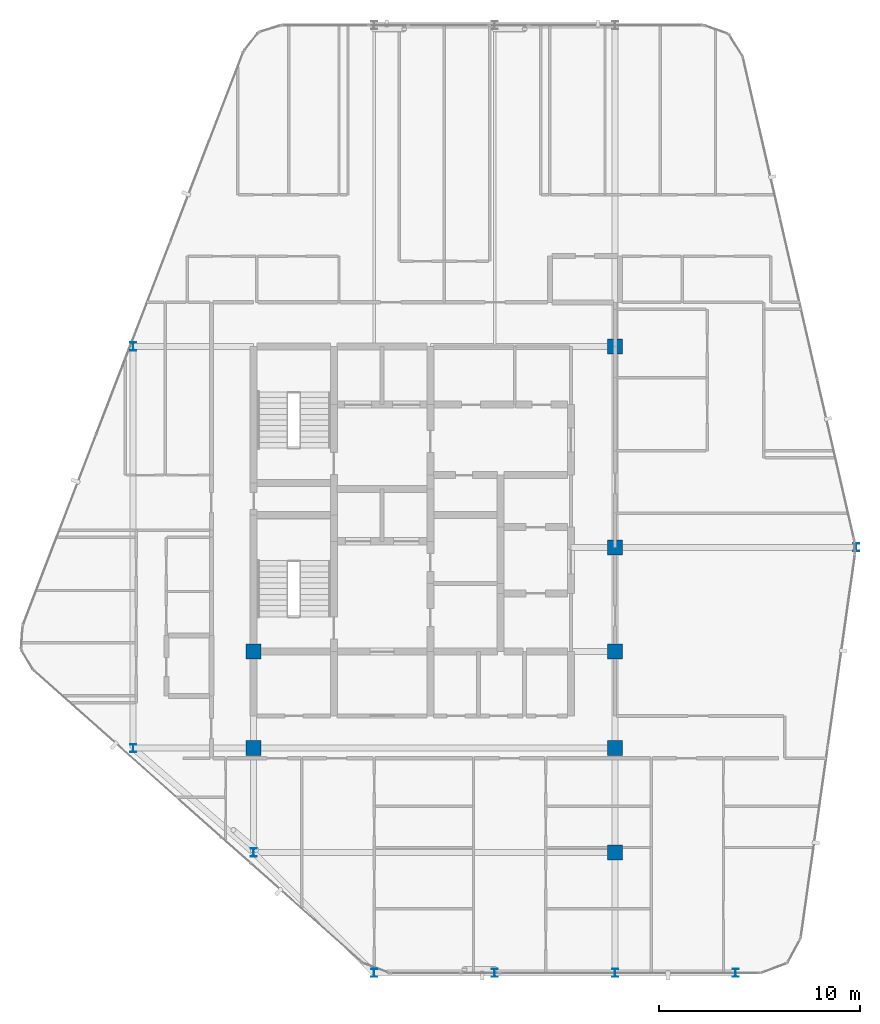
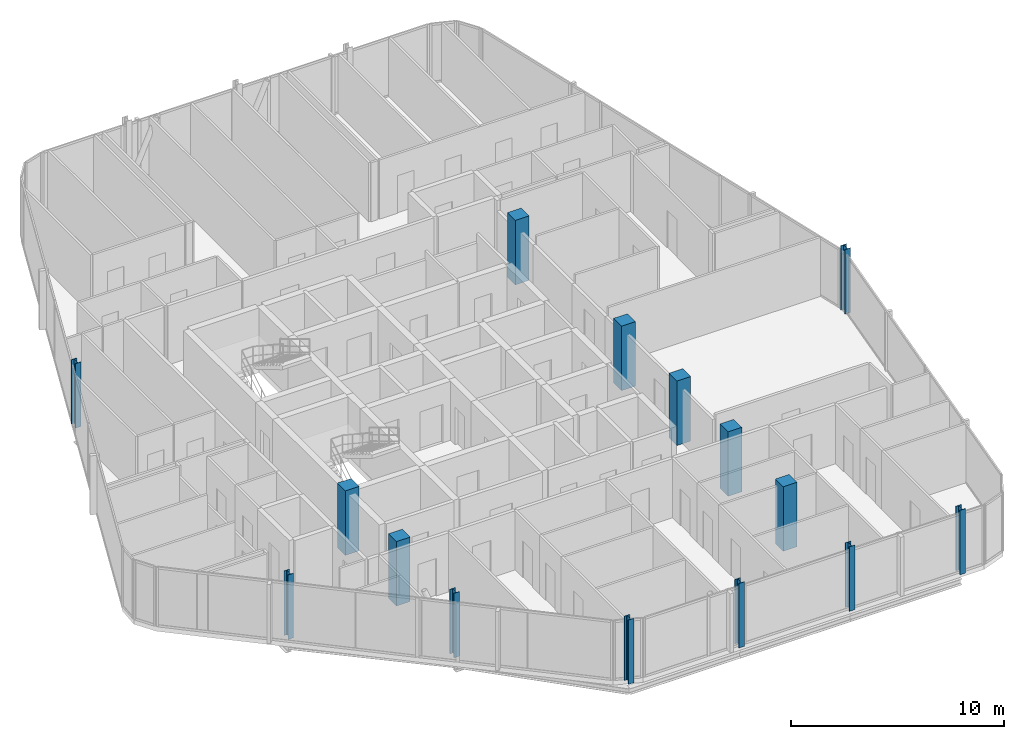
# One storey, part 1 of 28: 15 columns.
"""IFC4 building model written with IfcOpenShell, lengths in metres."""

from ifc_helpers import new_model, si_unit, direction, frame, origin, origin_2d, place, context, subcontext, project, spatial, rectangle, i_section, extrude, material, material_profile, profile_set, type_object, element, save


model = new_model("IFC4")

# Units and contexts
model_context = context("Model", 3, precision=1e-05, world=origin(), true_north=direction((0.0, 1.0)))
body_context = subcontext(model_context, "Body", "Model", "MODEL_VIEW")
ifc_project = project(units=[si_unit("LENGTHUNIT", "METRE"), si_unit("AREAUNIT", "SQUARE_METRE"), si_unit("VOLUMEUNIT", "CUBIC_METRE"), si_unit("PLANEANGLEUNIT", "RADIAN"), si_unit("MASSUNIT", "GRAM", prefix="KILO")], contexts=[model_context])

# Site, building, storey
site_placement = place(None, origin())
site = spatial("IfcSite", under=ifc_project, at=site_placement, CompositionType="ELEMENT")
building_placement = place(site_placement, origin())
building = spatial("IfcBuilding", under=site, at=building_placement, Name="Keshet Zoharim Tower", CompositionType="ELEMENT")
storey_placement = place(building_placement, frame((0.0, 0.0, 258.39990234375)))
storey = spatial("IfcBuildingStorey", under=building, at=storey_placement, Name="L64", CompositionType="ELEMENT", Elevation=258.39990234375)

# Columns
ifc_material_1 = material(Name="Steel S355", Category="steel")
ifc_material_profile_1 = material_profile(ifc_material_1, i_section(OverallWidth=0.300048828125, OverallDepth=0.39990234375, WebThickness=0.013427734375, FlangeThickness=0.02392578125, FilletRadius=0.027099609375, at=origin_2d()), Name="HEB400")
ifc_profile_set_1 = profile_set([ifc_material_profile_1], Name="Steel S355")
column_type_1 = type_object("IfcColumnType", Name="COL-HEB400", PredefinedType="COLUMN", material=ifc_profile_set_1)
for number, where, z_axis, x_axis, name in (
    (1, (9.0, 17.89990234375, 0.0), (0.0, 0.0, 1.0), (1.0, 0.0, 0.0), "L64 Column 2D"),
    (2, (9.0, 37.89990234375, 0.0), (0.0, 0.0, 1.0), (1.0, 0.0, 0.0), "L64 Column 2H"),
    (3, (15.0, 12.699951171875, 0.0), (0.0, 0.0, 1.0), (1.0, 0.0, 0.0), "L64 Column 3C"),
    (4, (21.0, 6.699951171875, 0.0), (0.0, 0.0, 1.0), (1.0, 0.0, 0.0), "L64 Column 4B"),
    (5, (27.0, 6.699951171875, 0.0), (0.0, 0.0, 1.0), (1.0, 0.0, 0.0), "L64 Column 5B"),
    (6, (33.0, 6.699951171875, 0.0), (0.0, 0.0, 1.0), (1.0, 0.0, 0.0), "L64 Column 6B"),
    (7, (39.0, 6.699951171875, 0.0), (0.0, 0.0, 1.0), (1.0, 0.0, 0.0), "L64 Column 7B"),
    (8, (45.0, 27.89990234375, 0.0), (0.0, 0.0, 1.0), (1.0, 0.0, 0.0), "L64 Column 8F"),
):
    element("IfcColumn", number, at=place(storey_placement, frame(where, z_axis=z_axis, x_axis=x_axis)), inside=storey, type_object=column_type_1, Name=name, PredefinedType="COLUMN", context=body_context, shape_type="SweptSolid", body=[
        extrude(i_section(OverallWidth=0.300048828125, OverallDepth=0.39990234375, WebThickness=0.013427734375, FlangeThickness=0.02392578125, FilletRadius=0.027099609375, at=origin_2d()), origin(), (0.0, 0.0, 1.0), 3.7001953125),
    ])
ifc_material_2 = material(Name="Concrete C50/60", Category="concrete")
ifc_material_profile_2 = material_profile(ifc_material_2, rectangle(XDim=0.75, YDim=0.75, at=origin_2d()), Name="RC750x750")
ifc_profile_set_2 = profile_set([ifc_material_profile_2], Name="Concrete C50/60")
column_type_2 = type_object("IfcColumnType", Name="COL-RC750", PredefinedType="COLUMN", material=ifc_profile_set_2)
for number, where, z_axis, x_axis, name in (
    (9, (15.0, 17.89990234375, 0.0), (0.0, 0.0, 1.0), (1.0, 0.0, 0.0), "L64 Column 3D"),
    (10, (15.0, 22.699951171875, 0.0), (0.0, 0.0, 1.0), (1.0, 0.0, 0.0), "L64 Column 3E"),
    (11, (33.0, 12.699951171875, 0.0), (0.0, 0.0, 1.0), (1.0, 0.0, 0.0), "L64 Column 6C"),
    (12, (33.0, 17.89990234375, 0.0), (0.0, 0.0, 1.0), (1.0, 0.0, 0.0), "L64 Column 6D"),
    (13, (33.0, 22.699951171875, 0.0), (0.0, 0.0, 1.0), (1.0, 0.0, 0.0), "L64 Column 6E"),
    (14, (33.0, 27.89990234375, 0.0), (0.0, 0.0, 1.0), (1.0, 0.0, 0.0), "L64 Column 6F"),
    (15, (33.0, 37.89990234375, 0.0), (0.0, 0.0, 1.0), (1.0, 0.0, 0.0), "L64 Column 6H"),
):
    element("IfcColumn", number, at=place(storey_placement, frame(where, z_axis=z_axis, x_axis=x_axis)), inside=storey, type_object=column_type_2, Name=name, PredefinedType="COLUMN", context=body_context, shape_type="SweptSolid", body=[
        extrude(rectangle(XDim=0.75, YDim=0.75, at=origin_2d()), origin(), (0.0, 0.0, 1.0), 3.7001953125),
    ])

save(model, "model.ifc")
